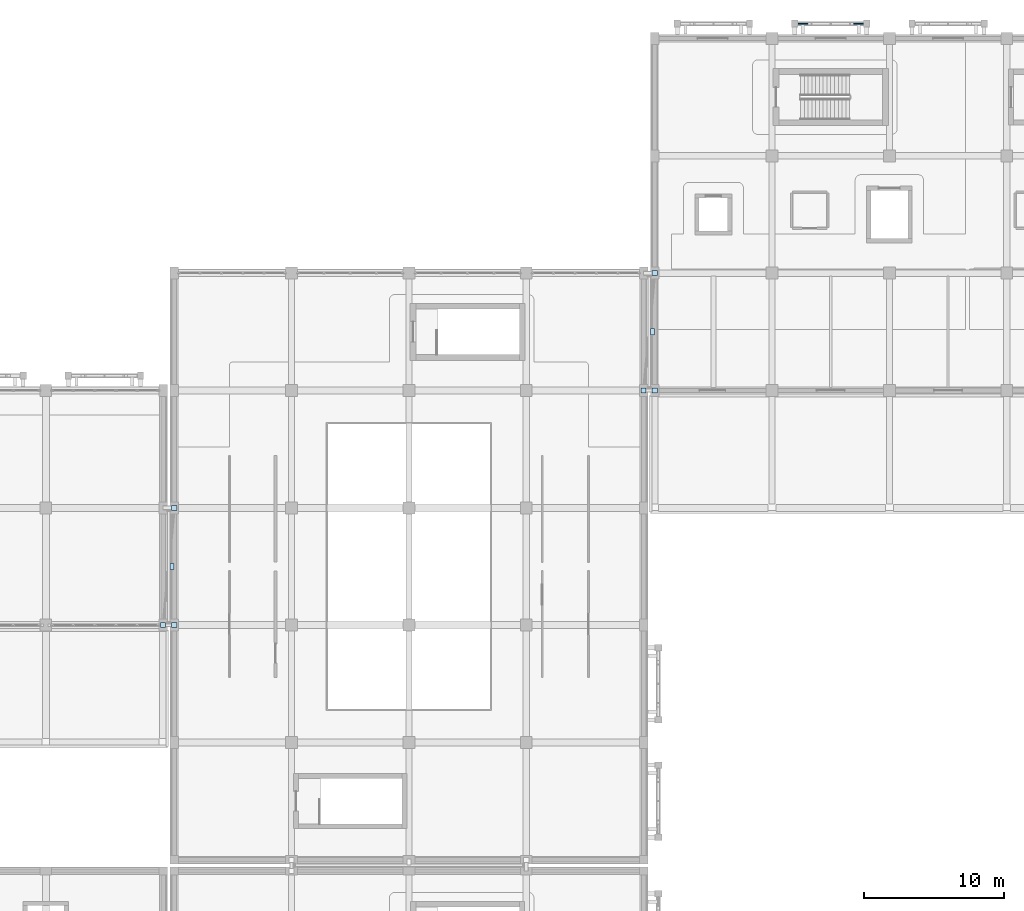
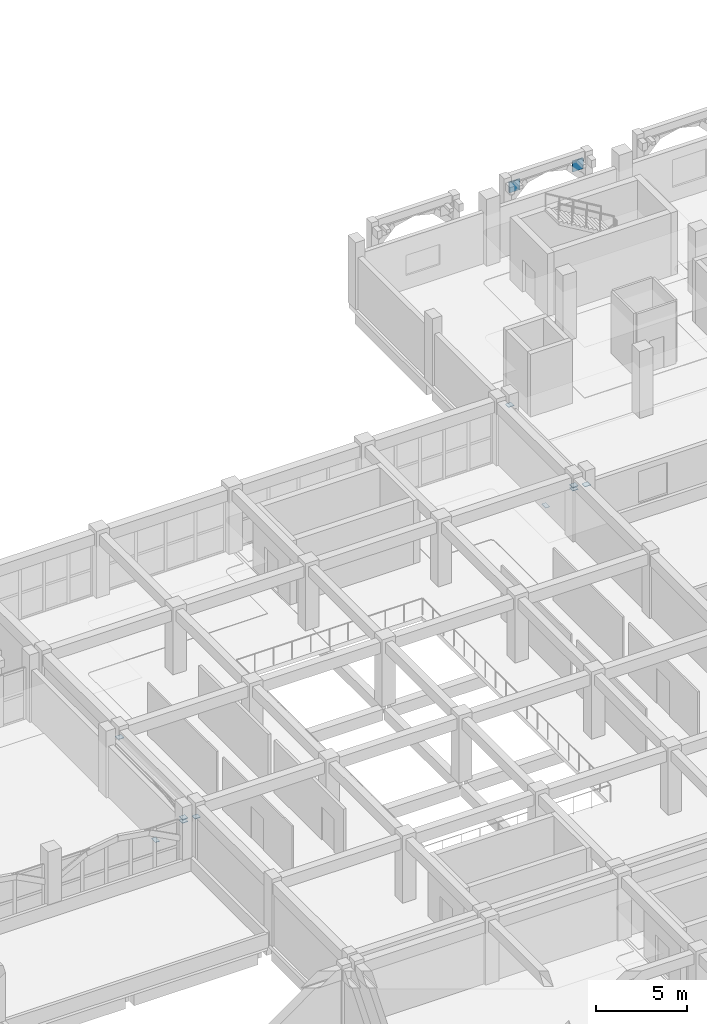
# One storey, part 106 of 129: 12 plates.
"""IFC4 building model written with IfcOpenShell, lengths in metres."""

from ifc_helpers import new_model, si_unit, direction, frame, origin, origin_2d, place, context, subcontext, project, spatial, rectangle, extrude, material, layer, layer_set, type_object, element, save


model = new_model("IFC4")

# Units and contexts
model_context = context("Model", 3, precision=1e-05, world=origin(), true_north=direction((0.0, 1.0)))
body_context = subcontext(model_context, "Body", "Model", "MODEL_VIEW")
ifc_project = project(units=[si_unit("LENGTHUNIT", "METRE"), si_unit("AREAUNIT", "SQUARE_METRE"), si_unit("VOLUMEUNIT", "CUBIC_METRE"), si_unit("PLANEANGLEUNIT", "RADIAN"), si_unit("MASSUNIT", "GRAM", prefix="KILO")], contexts=[model_context])

# Site, building, storey
site_placement = place(None, origin())
site = spatial("IfcSite", under=ifc_project, at=site_placement, CompositionType="ELEMENT")
building_placement = place(site_placement, origin())
building = spatial("IfcBuilding", under=site, at=building_placement, Name="Xazarin Passage Department Store", CompositionType="ELEMENT")
storey_placement = place(building_placement, frame((0.0, 0.0, 9.89990234375)))
storey = spatial("IfcBuildingStorey", under=building, at=storey_placement, Name="L02", CompositionType="ELEMENT", Elevation=9.89990234375)

# Plates
ifc_material_1 = material(Name="Precast concrete C40/50", Category="concrete")
ifc_layer_1 = layer(ifc_material_1, 0.080078125)
ifc_layer_set_1 = layer_set([ifc_layer_1], Name="Precast concrete C40/50")
plate_type_1 = type_object("IfcPlateType", Name="ARC-PLT-SCR-01", PredefinedType="USERDEFINED", material=ifc_layer_set_1)
for number, where, z_axis, x_axis, name in (
    (1, (113.0, 111.050048828125, 3.26025390625), (0.0, 0.0, 1.0), (1.0, 0.0, 0.0), "L02 V4 Arch Spandrel Tympanum 0301"),
    (2, (117.0, 111.050048828125, 3.26025390625), (0.0, 0.0, 1.0), (1.0, 0.0, 0.0), "L02 V4 Arch Spandrel Tympanum 0302"),
):
    element("IfcPlate", number, at=place(storey_placement, frame(where, z_axis=z_axis, x_axis=x_axis)), inside=storey, type_object=plate_type_1, Name=name, ObjectType="SCREEN PANEL", PredefinedType="USERDEFINED", context=body_context, shape_type="SweptSolid", body=[
        extrude(rectangle(XDim=0.679931640625, YDim=0.080078125, at=origin_2d()), origin(), (0.0, 0.0, 1.0), 0.719970703125),
    ])
ifc_material_2 = material(Name="Steel S355", Category="steel")
ifc_layer_2 = layer(ifc_material_2, 0.030029296875)
ifc_layer_set_2 = layer_set([ifc_layer_2], Name="Steel S355")
plate_type_2 = type_object("IfcPlateType", Name="STR-PLT-BRG30", PredefinedType="USERDEFINED", material=ifc_layer_set_2)
for number, where, z_axis, x_axis, name in (
    (3, (67.85009765625, 72.199951171875, -0.81982421875), (0.0, 0.0, 1.0), (1.0, 0.0, 0.0), "L02 BR-V1-V2N PTFE Sliding Bearing Plate"),
    (4, (102.25, 89.0, -0.669921875), (0.0, 0.0, 1.0), (1.0, 0.0, 0.0), "L02 BR-V2N-V4 PTFE Sliding Bearing Plate"),
):
    element("IfcPlate", number, at=place(storey_placement, frame(where, z_axis=z_axis, x_axis=x_axis)), inside=storey, type_object=plate_type_2, Name=name, ObjectType="BASE PLATE", PredefinedType="USERDEFINED", context=body_context, shape_type="SweptSolid", body=[
        extrude(rectangle(XDim=0.280029296875, YDim=0.449951171875, at=origin_2d()), origin(), (0.0, 0.0, 1.0), 0.030029296875),
    ])
ifc_layer_3 = layer(ifc_material_2, 0.02001953125)
ifc_layer_set_3 = layer_set([ifc_layer_3], Name="Steel S355")
plate_type_3 = type_object("IfcPlateType", Name="STR-PLT-CAP20", PredefinedType="USERDEFINED", material=ifc_layer_set_3)
for number, where, z_axis, x_axis, name in (
    (5, (67.199951171875, 68.0, 3.23193359375), (0.0, 0.0, 1.0), (1.0, 0.0, 0.0), "L02 BR-V1-V2N Bridge Member End Cap 1"),
    (6, (68.0, 68.0, 3.23193359375), (0.0, 0.0, 1.0), (1.0, 0.0, 0.0), "L02 BR-V1-V2N Bridge Member End Cap 2"),
    (7, (67.199951171875, 68.0, 3.45703125), (0.0, 0.0, 1.0), (1.0, 0.0, 0.0), "L02 BR-V1-V2N Bridge Member End Cap 3"),
    (8, (68.0, 76.39990234375, 3.45703125), (0.0, 0.0, 1.0), (1.0, 0.0, 0.0), "L02 BR-V1-V2N Bridge Member End Cap 4"),
    (9, (101.60009765625, 84.800048828125, 3.23193359375), (0.0, 0.0, 1.0), (1.0, 0.0, 0.0), "L02 BR-V2N-V4 Bridge Member End Cap 1"),
    (10, (102.39990234375, 84.800048828125, 3.23193359375), (0.0, 0.0, 1.0), (1.0, 0.0, 0.0), "L02 BR-V2N-V4 Bridge Member End Cap 2"),
    (11, (101.60009765625, 84.800048828125, 3.45703125), (0.0, 0.0, 1.0), (1.0, 0.0, 0.0), "L02 BR-V2N-V4 Bridge Member End Cap 3"),
    (12, (102.39990234375, 93.199951171875, 3.45703125), (0.0, 0.0, 1.0), (1.0, 0.0, 0.0), "L02 BR-V2N-V4 Bridge Member End Cap 4"),
):
    element("IfcPlate", number, at=place(storey_placement, frame(where, z_axis=z_axis, x_axis=x_axis)), inside=storey, type_object=plate_type_3, Name=name, ObjectType="GUSSET PLATE", PredefinedType="USERDEFINED", context=body_context, shape_type="SweptSolid", body=[
        extrude(rectangle(XDim=0.360107421875, YDim=0.360107421875, at=origin_2d()), origin(), (0.0, 0.0, 1.0), 0.035888671875),
    ])

save(model, "model.ifc")
